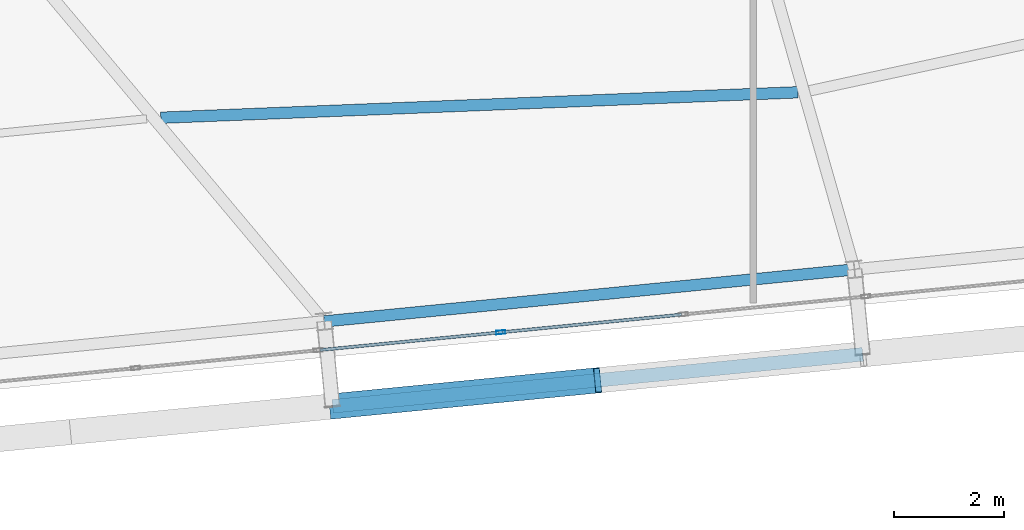
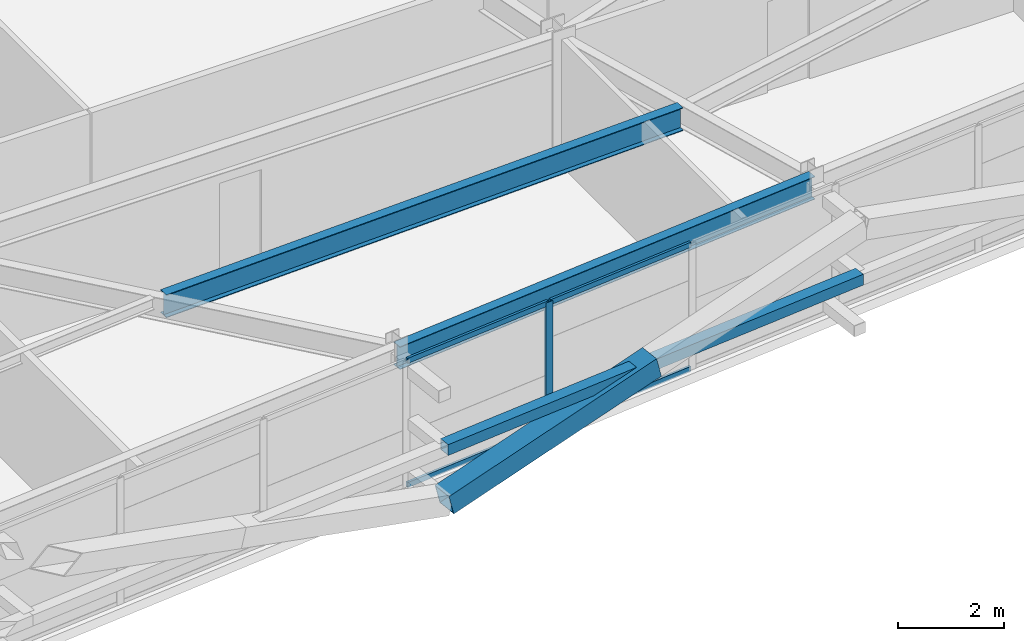
# One storey, part 11 of 53: 7 members, 2 beams, 1 element without a shape of its own.
"""IFC4 building model written with IfcOpenShell, lengths in metres."""

from ifc_helpers import new_model, si_unit, direction, frame, origin, origin_2d, place, context, subcontext, project, spatial, hollow_rectangle, i_section, extrude, source, transform, mapped, material, layer, layer_set, material_profile, profile_set, type_object, element, aggregate, save


model = new_model("IFC4")

# Units and contexts
model_context = context("Model", 3, precision=1e-05, world=origin(), true_north=direction((0.0, 1.0)))
body_context = subcontext(model_context, "Body", "Model", "MODEL_VIEW")
ifc_project = project(units=[si_unit("LENGTHUNIT", "METRE"), si_unit("AREAUNIT", "SQUARE_METRE"), si_unit("VOLUMEUNIT", "CUBIC_METRE"), si_unit("PLANEANGLEUNIT", "RADIAN"), si_unit("MASSUNIT", "GRAM", prefix="KILO")], contexts=[model_context])

# Site, building, storey
site_placement = place(None, origin())
site = spatial("IfcSite", under=ifc_project, at=site_placement, CompositionType="ELEMENT")
building_placement = place(site_placement, origin())
building = spatial("IfcBuilding", under=site, at=building_placement, Name="Taldren Reach Tower", CompositionType="ELEMENT")
storey_placement = place(building_placement, frame((0.0, 0.0, 80.85009765625)))
storey = spatial("IfcBuildingStorey", under=building, at=storey_placement, Name="L24", CompositionType="ELEMENT", Elevation=80.85009765625)

# Beams
ifc_material_1 = material(Name="Steel Gr 350 (350PLUS)", Category="steel")
ifc_material_profile_1 = material_profile(ifc_material_1, i_section(OverallWidth=0.208984375, OverallDepth=0.528076171875, WebThickness=0.009521484375, FlangeThickness=0.01318359375, at=origin_2d()), Name="530UB82.0")
ifc_profile_set_1 = profile_set([ifc_material_profile_1], Name="Steel Gr 350 (350PLUS)")
beam_type_1 = type_object("IfcBeamType", Name="SP-UB530B", PredefinedType="SPANDREL", material=ifc_profile_set_1)
shared_shape_1 = source(origin(), body_context, "Body", "SweptSolid", [
    extrude(i_section(OverallWidth=0.208984375, OverallDepth=0.528076171875, WebThickness=0.009521484375, FlangeThickness=0.01318359375, at=origin_2d()), origin(), (0.0, 0.0, 1.0), 9.679931640625),
])
beam_1_placement = place(storey_placement, frame((34.20166015625, 1.809326171875, 2.666015625), z_axis=(0.995227612658, 0.097580730699, 0.0), x_axis=(-0.097580730699, 0.995227612658, 0.0)))
element("IfcBeam", 1, at=beam_1_placement, inside=storey, type_object=beam_type_1, Name="Perimeter spandrel B2 S3-S4 L24", PredefinedType="SPANDREL", context=body_context, shape_type="MappedRepresentation", body=[
    mapped(shared_shape_1, transform((0.0, 0.0, 0.0), scale=1.0)),
])
ifc_material_profile_2 = material_profile(ifc_material_1, i_section(OverallWidth=0.208984375, OverallDepth=0.532958984375, WebThickness=0.01025390625, FlangeThickness=0.015625, at=origin_2d()), Name="530UB92.4")
ifc_profile_set_2 = profile_set([ifc_material_profile_2], Name="Steel Gr 350 (350PLUS)")
beam_type_2 = type_object("IfcBeamType", Name="BM-UB530A", PredefinedType="BEAM", material=ifc_profile_set_2)
shared_shape_2 = source(origin(), body_context, "Body", "SweptSolid", [
    extrude(i_section(OverallWidth=0.208984375, OverallDepth=0.532958984375, WebThickness=0.01025390625, FlangeThickness=0.015625, at=origin_2d()), origin(), (0.0, 0.0, 1.0), 11.586669921875),
])
beam_2_placement = place(storey_placement, frame((31.23291015625, 5.510009765625, 2.663330078125), z_axis=(0.999202506312, 0.039929329821, 0.0), x_axis=(-0.039929329821, 0.999202506312, 0.0)))
element("IfcBeam", 2, at=beam_2_placement, inside=storey, type_object=beam_type_2, Name="Secondary floor beam B2 J3 L24", PredefinedType="BEAM", context=body_context, shape_type="MappedRepresentation", body=[
    mapped(shared_shape_2, transform((0.0, 0.0, 0.0), scale=1.0)),
])

# Members
ifc_material_2 = material(Name="Steel Gr 450 (C450L0)", Category="steel")
ifc_material_profile_3 = material_profile(ifc_material_2, hollow_rectangle(XDim=0.4599609375, YDim=0.4599609375, WallThickness=0.01611328125, at=origin_2d()), Name="460x460x16.0SHS")
ifc_profile_set_3 = profile_set([ifc_material_profile_3], Name="Steel Gr 450 (C450L0)")
member_type_1 = type_object("IfcMemberType", Name="MB-EXO457", PredefinedType="BRACE", material=ifc_profile_set_3)
shared_shape_3 = source(origin(), body_context, "Body", "SweptSolid", [
    extrude(hollow_rectangle(XDim=0.4599609375, YDim=0.4599609375, WallThickness=0.01611328125, at=origin_2d()), origin(), (0.0, 0.0, 1.0), 4.990234375),
])
member_1_placement = place(storey_placement, frame((34.35302734375, 0.2666015625, 0.219970703125), z_axis=(0.965282554799, 0.094669120301, 0.243448859234), x_axis=(-0.097605711627, 0.995225162995, 0.0)))
element("IfcMember", 3, at=member_1_placement, inside=storey, type_object=member_type_1, Name="Exoskeleton Diagrid Brace B2-S3 L24", PredefinedType="BRACE", context=body_context, shape_type="MappedRepresentation", body=[
    mapped(shared_shape_3, transform((0.0, 0.0, 0.0), scale=1.0)),
])
ifc_material_3 = material(Name="Steel Gr 350 (C350L0)", Category="steel")
ifc_material_profile_4 = material_profile(ifc_material_3, hollow_rectangle(XDim=0.25, YDim=0.25, WallThickness=0.010009765625, at=origin_2d()), Name="250x250x10.0SHS")
ifc_profile_set_4 = profile_set([ifc_material_profile_4], Name="Steel Gr 350 (C350L0)")
member_type_2 = type_object("IfcMemberType", Name="MB-POST250", PredefinedType="POST", material=ifc_profile_set_4)
shared_shape_4 = source(origin(), body_context, "Body", "SweptSolid", [
    extrude(hollow_rectangle(XDim=0.25, YDim=0.25, WallThickness=0.010009765625, at=origin_2d()), origin(), (0.0, 0.0, 1.0), 9.679931640625),
])
member_2_placement = place(storey_placement, frame((34.35302734375, 0.2666015625, 1.434814453125), z_axis=(0.995225162995, 0.097605711627, 0.0), x_axis=(-0.097605711627, 0.995225162995, 0.0)))
element("IfcMember", 4, at=member_2_placement, inside=storey, type_object=member_type_2, Name="Exoskeleton mid-height ring chord B2-S3 L24", PredefinedType="POST", context=body_context, shape_type="MappedRepresentation", body=[
    mapped(shared_shape_4, transform((0.0, 0.0, 0.0), scale=1.0)),
])

# Curtain wall, members
ifc_material_4 = material(Name="Aluminium and Low-E Glass Unitised System", Category="aluminium")
ifc_layer = layer(ifc_material_4, 0.159912109375)
ifc_layer_set = layer_set([ifc_layer], Name="Aluminium and Low-E Glass Unitised System")
curtain_wall_type = type_object("IfcCurtainWallType", Name="CW-SYS-3", PredefinedType="NOTDEFINED", material=ifc_layer_set)
curtain_wall_placement = place(storey_placement, origin())
curtain_wall = element("IfcCurtainWall", 5, at=curtain_wall_placement, inside=storey, type_object=curtain_wall_type, Name="Unitised curtain wall CW-L24-S", PredefinedType="NOTDEFINED")
ifc_material_5 = material(Name="Anodised Aluminium 6063-T6", Category="aluminium")
ifc_material_profile_5 = material_profile(ifc_material_5, hollow_rectangle(XDim=0.06494140625, YDim=0.1650390625, WallThickness=0.00390625, at=origin_2d()), Name="ALU-165x65x4RHS")
ifc_profile_set_5 = profile_set([ifc_material_profile_5], Name="Anodised Aluminium 6063-T6")
member_type_3 = type_object("IfcMemberType", Name="CW-MUL-165", PredefinedType="MULLION", material=ifc_profile_set_5)
shared_shape_5 = source(origin(), body_context, "Body", "SweptSolid", [
    extrude(hollow_rectangle(XDim=0.06494140625, YDim=0.1650390625, WallThickness=0.00390625, at=origin_2d()), origin(), (0.0, 0.0, 1.0), 2.929931640625),
])
member_3_placement = place(storey_placement, frame((37.40966796875, 1.611328125, 0.0), z_axis=(0.0, 0.0, 1.0), x_axis=(-0.097582999046, 0.995227390247, 0.0)))
member_3 = element("IfcMember", 6, at=member_3_placement, type_object=member_type_3, Name="CW-3 mullion 8", PredefinedType="MULLION", context=body_context, shape_type="MappedRepresentation", body=[
    mapped(shared_shape_5, transform((0.0, 0.0, 0.0), scale=1.0)),
])
ifc_material_profile_6 = material_profile(ifc_material_5, hollow_rectangle(XDim=0.054931640625, YDim=0.1201171875, WallThickness=0.0029296875, at=origin_2d()), Name="ALU-120x55x3RHS")
ifc_profile_set_6 = profile_set([ifc_material_profile_6], Name="Anodised Aluminium 6063-T6")
member_type_4 = type_object("IfcMemberType", Name="CW-TRN-135", PredefinedType="USERDEFINED", material=ifc_profile_set_6)
shared_shape_6 = source(origin(), body_context, "Body", "SweptSolid", [
    extrude(hollow_rectangle(XDim=0.054931640625, YDim=0.1201171875, WallThickness=0.0029296875, at=origin_2d()), origin(), (0.0, 0.0, 1.0), 3.268310546875),
])
member_4_placement = place(storey_placement, frame((34.124755859375, 1.289306640625, 0.02734375), z_axis=(0.99522980512, 0.097558367146, 0.0), x_axis=(-0.097558367146, 0.99522980512, 0.0)))
member_4 = element("IfcMember", 7, at=member_4_placement, type_object=member_type_4, Name="CW-3 transom 7.1", ObjectType="TRANSOM", PredefinedType="USERDEFINED", context=body_context, shape_type="MappedRepresentation", body=[
    mapped(shared_shape_6, transform((0.0, 0.0, 0.0), scale=1.0)),
])
member_5_placement = place(storey_placement, frame((34.124755859375, 1.289306640625, 2.90234375), z_axis=(0.99522980512, 0.097558367146, 0.0), x_axis=(-0.097558367146, 0.99522980512, 0.0)))
member_5 = element("IfcMember", 8, at=member_5_placement, type_object=member_type_4, Name="CW-3 transom 7.2", ObjectType="TRANSOM", PredefinedType="USERDEFINED", context=body_context, shape_type="MappedRepresentation", body=[
    mapped(shared_shape_6, transform((0.0, 0.0, 0.0), scale=1.0)),
])
member_6_placement = place(storey_placement, frame((37.442138671875, 1.614501953125, 0.02734375), z_axis=(0.995222549564, 0.097632355496, 0.0), x_axis=(-0.097632355496, 0.995222549564, 0.0)))
member_6 = element("IfcMember", 9, at=member_6_placement, type_object=member_type_4, Name="CW-3 transom 8.1", ObjectType="TRANSOM", PredefinedType="USERDEFINED", context=body_context, shape_type="MappedRepresentation", body=[
    mapped(shared_shape_6, transform((0.0, 0.0, 0.0), scale=1.0)),
])
member_7_placement = place(storey_placement, frame((37.442138671875, 1.614501953125, 2.90234375), z_axis=(0.995222549564, 0.097632355496, 0.0), x_axis=(-0.097632355496, 0.995222549564, 0.0)))
member_7 = element("IfcMember", 10, at=member_7_placement, type_object=member_type_4, Name="CW-3 transom 8.2", ObjectType="TRANSOM", PredefinedType="USERDEFINED", context=body_context, shape_type="MappedRepresentation", body=[
    mapped(shared_shape_6, transform((0.0, 0.0, 0.0), scale=1.0)),
])
aggregate(curtain_wall, [member_3, member_4, member_5, member_6, member_7])

save(model, "model.ifc")
